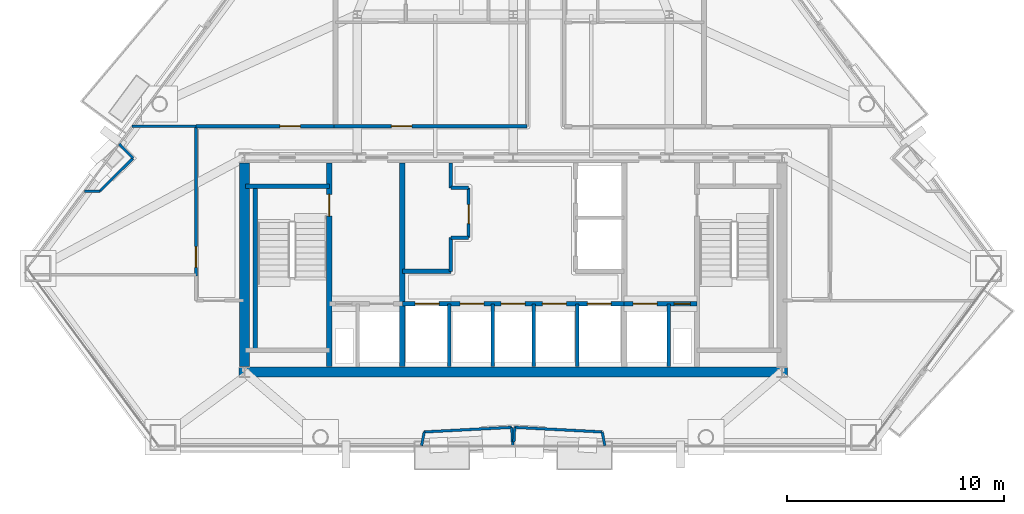
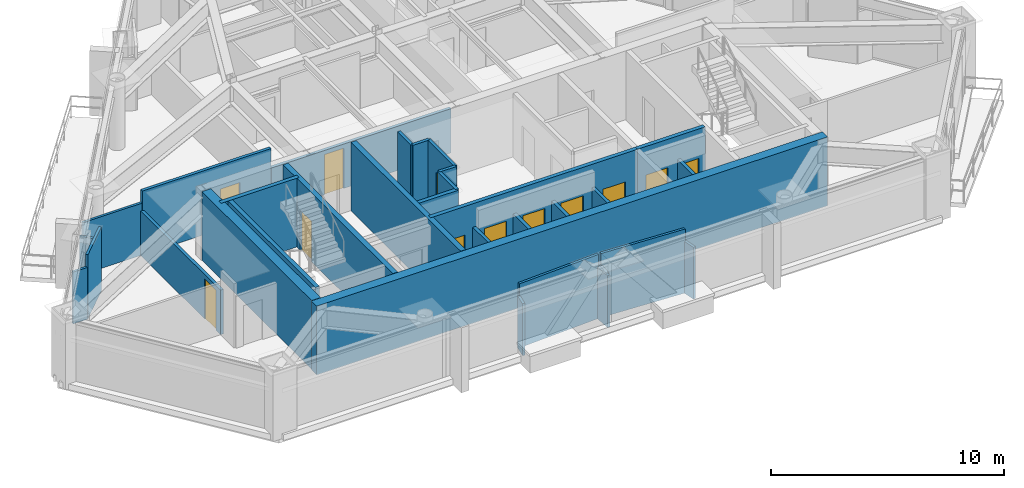
# One storey, part 7 of 11: 32 walls, 12 doors, 12 openings.
"""IFC4 building model written with IfcOpenShell, lengths in metres."""

from ifc_helpers import new_model, si_unit, direction, frame, frame_2d, origin, place, context, subcontext, project, spatial, rectangle, extrude, material, layer, layer_set, type_object, element, fill, save


model = new_model("IFC4")

# Units and contexts
model_context = context("Model", 3, precision=1e-05, world=origin(), true_north=direction((0.0, 1.0)))
body_context = subcontext(model_context, "Body", "Model", "MODEL_VIEW")
ifc_project = project(units=[si_unit("LENGTHUNIT", "METRE"), si_unit("AREAUNIT", "SQUARE_METRE"), si_unit("VOLUMEUNIT", "CUBIC_METRE"), si_unit("PLANEANGLEUNIT", "RADIAN"), si_unit("MASSUNIT", "GRAM", prefix="KILO")], contexts=[model_context])

# Site, building, storey
site_placement = place(None, origin())
site = spatial("IfcSite", under=ifc_project, at=site_placement, CompositionType="ELEMENT")
building_placement = place(site_placement, origin())
building = spatial("IfcBuilding", under=site, at=building_placement, Name="Talgorran Terracotta Tower", CompositionType="ELEMENT")
storey_placement = place(building_placement, frame((0.0, 0.0, 110.39990234375)))
storey = spatial("IfcBuildingStorey", under=building, at=storey_placement, Name="L28", CompositionType="ELEMENT", Elevation=110.39990234375)

# Walls
ifc_material_1 = material(Name="Concrete C50/60", Category="concrete")
ifc_layer_1 = layer(ifc_material_1, 0.199951171875, Name="WT_CORE_200")
ifc_layer_set_1 = layer_set([ifc_layer_1], Name="Concrete C50/60")
wall_type_1 = type_object("IfcWallType", Name="WT_CORE_200", PredefinedType="SOLIDWALL", material=ifc_layer_set_1)
wall_1_placement = place(storey_placement, frame((-12.35009765625, -5.52001953125, 0.0), z_axis=(0.0, 0.0, 1.0), x_axis=(1.0, 0.0, 0.0)))
element("IfcWall", 1, at=wall_1_placement, inside=storey, type_object=wall_type_1, Name="WL-L28-CW-ST1-N", PredefinedType="SOLIDWALL", context=body_context, shape_type="SweptSolid", body=[
    extrude(rectangle(XDim=3.8701171875, YDim=0.199951171875, at=frame_2d((1.93505859375, 0.0))), origin(), (0.0, 0.0, 1.0), 3.60009765625),
])
wall_2_placement = place(storey_placement, frame((-11.89990234375, -13.10009765625, 0.0), z_axis=(0.0, 0.0, 1.0), x_axis=(0.0, 1.0, 0.0)))
element("IfcWall", 2, at=wall_2_placement, inside=storey, type_object=wall_type_1, Name="WL-L28-CW-ST1-W", PredefinedType="SOLIDWALL", context=body_context, shape_type="SweptSolid", body=[
    extrude(rectangle(XDim=7.580078125, YDim=0.199951171875, at=frame_2d((3.7900390625, 0.0))), origin(), (0.0, 0.0, 1.0), 3.60009765625),
])

# Wall, openings, doors
wall_3_placement = place(storey_placement, frame((-5.1201171875, -10.949951171875, 0.0), z_axis=(0.0, 0.0, 1.0), x_axis=(1.0, 0.0, 0.0)))
wall_3 = element("IfcWall", 3, at=wall_3_placement, inside=storey, type_object=wall_type_1, Name="WL-L28-CW-H-SBC", PredefinedType="SOLIDWALL", context=body_context, shape_type="SweptSolid", body=[
    extrude(rectangle(XDim=10.240234375, YDim=0.199951171875, at=frame_2d((5.1201171875, 0.0))), origin(), (0.0, 0.0, 1.0), 3.60009765625),
])
opening_1_placement = place(wall_3_placement, frame((0.60009765625, 0.0, 0.0)))
opening_1 = element("IfcOpeningElement", 4, at=opening_1_placement, cuts=wall_3, Name="Opening LD-OB1", PredefinedType="OPENING", context=body_context, shape_type="SweptSolid", body=[
    extrude(rectangle(XDim=1.10609765625, YDim=2.10409765625, at=frame_2d((0.550048828125, 1.052001953125))), frame((0.0, 0.10986328125, 0.0), z_axis=(0.0, -1.0, 0.0), x_axis=(1.0, 0.0, 0.0)), (0.0, 0.0, 1.0), 0.219970703125),
])
opening_2_placement = place(wall_3_placement, frame((2.669921875, 0.0, 0.0)))
opening_2 = element("IfcOpeningElement", 5, at=opening_2_placement, cuts=wall_3, Name="Opening LD-PLH1", PredefinedType="OPENING", context=body_context, shape_type="SweptSolid", body=[
    extrude(rectangle(XDim=1.10609765625, YDim=2.10409765625, at=frame_2d((0.550048828125, 1.052001953125))), frame((0.0, 0.10986328125, 0.0), z_axis=(0.0, -1.0, 0.0), x_axis=(1.0, 0.0, 0.0)), (0.0, 0.0, 1.0), 0.219970703125),
])
opening_3_placement = place(wall_3_placement, frame((4.570068359375, 0.0, 0.0)))
opening_3 = element("IfcOpeningElement", 6, at=opening_3_placement, cuts=wall_3, Name="Opening LD-PLH2", PredefinedType="OPENING", context=body_context, shape_type="SweptSolid", body=[
    extrude(rectangle(XDim=1.10609765625, YDim=2.10409765625, at=frame_2d((0.550048828125, 1.052001953125))), frame((0.0, 0.10986328125, 0.0), z_axis=(0.0, -1.0, 0.0), x_axis=(1.0, 0.0, 0.0)), (0.0, 0.0, 1.0), 0.219970703125),
])
opening_4_placement = place(wall_3_placement, frame((6.469970703125, 0.0, 0.0)))
opening_4 = element("IfcOpeningElement", 7, at=opening_4_placement, cuts=wall_3, Name="Opening LD-PLH3", PredefinedType="OPENING", context=body_context, shape_type="SweptSolid", body=[
    extrude(rectangle(XDim=1.10609765625, YDim=2.10409765625, at=frame_2d((0.550048828125, 1.052001953125))), frame((0.0, 0.10986328125, 0.0), z_axis=(0.0, -1.0, 0.0), x_axis=(1.0, 0.0, 0.0)), (0.0, 0.0, 1.0), 0.219970703125),
])
opening_5_placement = place(wall_3_placement, frame((8.5400390625, 0.0, 0.0)))
opening_5 = element("IfcOpeningElement", 8, at=opening_5_placement, cuts=wall_3, Name="Opening LD-SVL1", PredefinedType="OPENING", context=body_context, shape_type="SweptSolid", body=[
    extrude(rectangle(XDim=1.10609765625, YDim=2.10409765625, at=frame_2d((0.550048828125, 1.052001953125))), frame((0.0, 0.10986328125, 0.0), z_axis=(0.0, -1.0, 0.0), x_axis=(1.0, 0.0, 0.0)), (0.0, 0.0, 1.0), 0.219970703125),
])
ifc_material_2 = material(Name="Brushed Stainless Steel Grade 304", Category="steel")
door_type_1 = type_object("IfcDoorType", Name="DT_LIFT_LD1100", OperationType="DOUBLE_DOOR_SLIDING", PredefinedType="DOOR", material=ifc_material_2)
door_1_placement = place(opening_1_placement, origin())
door_1 = element("IfcDoor", 9, at=door_1_placement, inside=storey, type_object=door_type_1, Name="L28 Lift Landing Door LD-OB1", OperationType="DOUBLE_DOOR_SLIDING", OverallHeight=2.10009765625, OverallWidth=1.10009765625, PredefinedType="DOOR", context=body_context, shape_type="SweptSolid", body=[
    extrude(rectangle(XDim=1.10009765625, YDim=2.10009765625, at=frame_2d((0.550048828125, 1.050048828125))), frame((0.0, 0.02490234375, 0.0), z_axis=(0.0, -1.0, 0.0), x_axis=(1.0, 0.0, 0.0)), (0.0, 0.0, 1.0), 0.050048828125),
])
fill(opening_1, door_1)
door_2_placement = place(opening_2_placement, origin())
door_2 = element("IfcDoor", 10, at=door_2_placement, inside=storey, type_object=door_type_1, Name="L28 Lift Landing Door LD-PLH1", OperationType="DOUBLE_DOOR_SLIDING", OverallHeight=2.10009765625, OverallWidth=1.10009765625, PredefinedType="DOOR", context=body_context, shape_type="SweptSolid", body=[
    extrude(rectangle(XDim=1.10009765625, YDim=2.10009765625, at=frame_2d((0.550048828125, 1.050048828125))), frame((0.0, 0.02490234375, 0.0), z_axis=(0.0, -1.0, 0.0), x_axis=(1.0, 0.0, 0.0)), (0.0, 0.0, 1.0), 0.050048828125),
])
fill(opening_2, door_2)
door_3_placement = place(opening_3_placement, origin())
door_3 = element("IfcDoor", 11, at=door_3_placement, inside=storey, type_object=door_type_1, Name="L28 Lift Landing Door LD-PLH2", OperationType="DOUBLE_DOOR_SLIDING", OverallHeight=2.10009765625, OverallWidth=1.10009765625, PredefinedType="DOOR", context=body_context, shape_type="SweptSolid", body=[
    extrude(rectangle(XDim=1.10009765625, YDim=2.10009765625, at=frame_2d((0.550048828125, 1.050048828125))), frame((0.0, 0.02490234375, 0.0), z_axis=(0.0, -1.0, 0.0), x_axis=(1.0, 0.0, 0.0)), (0.0, 0.0, 1.0), 0.050048828125),
])
fill(opening_3, door_3)
door_4_placement = place(opening_4_placement, origin())
door_4 = element("IfcDoor", 12, at=door_4_placement, inside=storey, type_object=door_type_1, Name="L28 Lift Landing Door LD-PLH3", OperationType="DOUBLE_DOOR_SLIDING", OverallHeight=2.10009765625, OverallWidth=1.10009765625, PredefinedType="DOOR", context=body_context, shape_type="SweptSolid", body=[
    extrude(rectangle(XDim=1.10009765625, YDim=2.10009765625, at=frame_2d((0.550048828125, 1.050048828125))), frame((0.0, 0.02490234375, 0.0), z_axis=(0.0, -1.0, 0.0), x_axis=(1.0, 0.0, 0.0)), (0.0, 0.0, 1.0), 0.050048828125),
])
fill(opening_4, door_4)
door_5_placement = place(opening_5_placement, origin())
door_5 = element("IfcDoor", 13, at=door_5_placement, inside=storey, type_object=door_type_1, Name="L28 Lift Landing Door LD-SVL1", OperationType="DOUBLE_DOOR_SLIDING", OverallHeight=2.10009765625, OverallWidth=1.10009765625, PredefinedType="DOOR", context=body_context, shape_type="SweptSolid", body=[
    extrude(rectangle(XDim=1.10009765625, YDim=2.10009765625, at=frame_2d((0.550048828125, 1.050048828125))), frame((0.0, 0.02490234375, 0.0), z_axis=(0.0, -1.0, 0.0), x_axis=(1.0, 0.0, 0.0)), (0.0, 0.0, 1.0), 0.050048828125),
])
fill(opening_5, door_5)

wall_4_placement = place(storey_placement, frame((5.1201171875, -10.949951171875, 0.0), z_axis=(0.0, 0.0, 1.0), x_axis=(1.0, 0.0, 0.0)))
wall_4 = element("IfcWall", 14, at=wall_4_placement, inside=storey, type_object=wall_type_1, Name="WL-L28-CW-H-SBE", PredefinedType="SOLIDWALL", context=body_context, shape_type="SweptSolid", body=[
    extrude(rectangle(XDim=3.35986328125, YDim=0.199951171875, at=frame_2d((1.679931640625, 0.0))), origin(), (0.0, 0.0, 1.0), 3.60009765625),
])
opening_6_placement = place(wall_4_placement, frame((0.419921875, 0.0, 0.0)))
opening_6 = element("IfcOpeningElement", 15, at=opening_6_placement, cuts=wall_4, Name="Opening LD-FFL2", PredefinedType="OPENING", context=body_context, shape_type="SweptSolid", body=[
    extrude(rectangle(XDim=1.10609765625, YDim=2.10409765625, at=frame_2d((0.550048828125, 1.052001953125))), frame((0.0, 0.10986328125, 0.0), z_axis=(0.0, -1.0, 0.0), x_axis=(1.0, 0.0, 0.0)), (0.0, 0.0, 1.0), 0.219970703125),
])
opening_7_placement = place(wall_4_placement, frame((2.300048828125, 0.0, 0.0)))
opening_7 = element("IfcOpeningElement", 16, at=opening_7_placement, cuts=wall_4, Name="Opening DR-RSE", PredefinedType="OPENING", context=body_context, shape_type="SweptSolid", body=[
    extrude(rectangle(XDim=0.756, YDim=2.054048828125, at=frame_2d((0.375, 1.027099609375))), frame((0.0, 0.10986328125, 0.0), z_axis=(0.0, -1.0, 0.0), x_axis=(1.0, 0.0, 0.0)), (0.0, 0.0, 1.0), 0.219970703125),
])
door_6_placement = place(opening_6_placement, origin())
door_6 = element("IfcDoor", 17, at=door_6_placement, inside=storey, type_object=door_type_1, Name="L28 Lift Landing Door LD-FFL2", OperationType="DOUBLE_DOOR_SLIDING", OverallHeight=2.10009765625, OverallWidth=1.10009765625, PredefinedType="DOOR", context=body_context, shape_type="SweptSolid", body=[
    extrude(rectangle(XDim=1.10009765625, YDim=2.10009765625, at=frame_2d((0.550048828125, 1.050048828125))), frame((0.0, 0.02490234375, 0.0), z_axis=(0.0, -1.0, 0.0), x_axis=(1.0, 0.0, 0.0)), (0.0, 0.0, 1.0), 0.050048828125),
])
fill(opening_6, door_6)
ifc_material_3 = material(Name="Fire-Rated Pressed Steel", Category="steel")
door_type_2 = type_object("IfcDoorType", Name="DT_RISER_750", OperationType="NOTDEFINED", PredefinedType="DOOR", material=ifc_material_3)
door_7_placement = place(opening_7_placement, origin())
door_7 = element("IfcDoor", 18, at=door_7_placement, inside=storey, type_object=door_type_2, Name="DR-RSE", OperationType="SINGLE_SWING_RIGHT", OverallHeight=2.050048828125, OverallWidth=0.75, PredefinedType="DOOR", context=body_context, shape_type="SweptSolid", body=[
    extrude(rectangle(XDim=0.75, YDim=2.050048828125, at=frame_2d((0.375, 1.02490234375))), frame((0.0, 0.02490234375, 0.0), z_axis=(0.0, -1.0, 0.0), x_axis=(1.0, 0.0, 0.0)), (0.0, 0.0, 1.0), 0.050048828125),
])
fill(opening_7, door_7)

# Wall
wall_5_placement = place(storey_placement, frame((-5.1201171875, -9.449951171875, 0.0), z_axis=(0.0, 0.0, 1.0), x_axis=(1.0, 0.0, 0.0)))
element("IfcWall", 19, at=wall_5_placement, inside=storey, type_object=wall_type_1, Name="WL-L28-CW-H-W4", PredefinedType="SOLIDWALL", context=body_context, shape_type="SweptSolid", body=[
    extrude(rectangle(XDim=2.240234375, YDim=0.199951171875, at=frame_2d((1.1201171875, 0.0))), origin(), (0.0, 0.0, 1.0), 3.35009765625),
])

# Wall, opening, door
ifc_layer_2 = layer(ifc_material_1, 0.25, Name="WT_CORE_250")
ifc_layer_set_2 = layer_set([ifc_layer_2], Name="Concrete C50/60")
wall_type_2 = type_object("IfcWallType", Name="WT_CORE_250", PredefinedType="SHEAR", material=ifc_layer_set_2)
wall_6_placement = place(storey_placement, frame((-8.47998046875, -13.85009765625, 0.0), z_axis=(0.0, 0.0, 1.0), x_axis=(0.0, 1.0, 0.0)))
wall_6 = element("IfcWall", 20, at=wall_6_placement, inside=storey, type_object=wall_type_2, Name="WL-L28-CW-V-W1", PredefinedType="SHEAR", context=body_context, shape_type="SweptSolid", body=[
    extrude(rectangle(XDim=9.400146484375, YDim=0.25, at=frame_2d((4.7001953125, 0.0))), origin(), (0.0, 0.0, 1.0), 3.60009765625),
])
opening_8_placement = place(wall_6_placement, frame((6.949951171875, 0.0, 0.0)))
opening_8 = element("IfcOpeningElement", 21, at=opening_8_placement, cuts=wall_6, Name="Opening DR-ST01", PredefinedType="OPENING", context=body_context, shape_type="SweptSolid", body=[
    extrude(rectangle(XDim=1.006, YDim=2.10409765625, at=frame_2d((0.5, 1.052001953125))), frame((0.0, 0.135009765625, 0.0), z_axis=(0.0, -1.0, 0.0), x_axis=(1.0, 0.0, 0.0)), (0.0, 0.0, 1.0), 0.27001953125),
])
door_type_3 = type_object("IfcDoorType", Name="DT_FIRE_1000", OperationType="NOTDEFINED", PredefinedType="DOOR", material=ifc_material_3)
door_8_placement = place(opening_8_placement, origin())
door_8 = element("IfcDoor", 22, at=door_8_placement, inside=storey, type_object=door_type_3, Name="DR-ST01", OperationType="SINGLE_SWING_LEFT", OverallHeight=2.10009765625, OverallWidth=1.0, PredefinedType="DOOR", context=body_context, shape_type="SweptSolid", body=[
    extrude(rectangle(XDim=1.0, YDim=2.10009765625, at=frame_2d((0.5, 1.050048828125))), frame((0.0, 0.02490234375, 0.0), z_axis=(0.0, -1.0, 0.0), x_axis=(1.0, 0.0, 0.0)), (0.0, 0.0, 1.0), 0.050048828125),
])
fill(opening_8, door_8)

# Walls
wall_7_placement = place(storey_placement, frame((-5.1201171875, -13.85009765625, 0.0), z_axis=(0.0, 0.0, 1.0), x_axis=(0.0, 1.0, 0.0)))
element("IfcWall", 23, at=wall_7_placement, inside=storey, type_object=wall_type_2, Name="WL-L28-CW-V-W2", PredefinedType="SHEAR", context=body_context, shape_type="SweptSolid", body=[
    extrude(rectangle(XDim=9.400146484375, YDim=0.25, at=frame_2d((4.7001953125, 0.0))), origin(), (0.0, 0.0, 1.0), 3.60009765625),
])
ifc_material_4 = material(Name="Concrete C65/80", Category="concrete")
ifc_layer_3 = layer(ifc_material_4, 0.449951171875, Name="WT_CORE_EXT")
ifc_layer_set_3 = layer_set([ifc_layer_3], Name="Concrete C65/80")
wall_type_3 = type_object("IfcWallType", Name="WT_CORE_EXT", PredefinedType="SHEAR", material=ifc_layer_set_3)
wall_8_placement = place(storey_placement, frame((-12.64990234375, -14.10009765625, 0.0), z_axis=(0.0, 0.0, 1.0), x_axis=(1.0, 0.0, 0.0)))
element("IfcWall", 24, at=wall_8_placement, inside=storey, type_object=wall_type_3, Name="WL-L28-CW-OUT-S", PredefinedType="SHEAR", context=body_context, shape_type="SweptSolid", body=[
    extrude(rectangle(XDim=25.2998046875, YDim=0.449951171875, at=frame_2d((12.64990234375, 0.0))), origin(), (0.0, 0.0, 1.0), 3.60009765625),
])
wall_9_placement = place(storey_placement, frame((-12.39990234375, -13.85009765625, 0.0), z_axis=(0.0, 0.0, 1.0), x_axis=(0.0, 1.0, 0.0)))
element("IfcWall", 25, at=wall_9_placement, inside=storey, type_object=wall_type_3, Name="WL-L28-CW-OUT-W", PredefinedType="SHEAR", context=body_context, shape_type="SweptSolid", body=[
    extrude(rectangle(XDim=9.400146484375, YDim=0.449951171875, at=frame_2d((4.7001953125, 0.0))), origin(), (0.0, 0.0, 1.0), 3.60009765625),
])
ifc_material_5 = material(Name="Fire-Rated Steel Stud Plasterboard", Category="steel")
ifc_layer_4 = layer(ifc_material_5, 0.14990234375, Name="WT_FIRE_150")
ifc_layer_set_4 = layer_set([ifc_layer_4], Name="Fire-Rated Steel Stud Plasterboard")
wall_type_4 = type_object("IfcWallType", Name="WT_FIRE_150", PredefinedType="PARTITIONING", material=ifc_layer_set_4)
wall_10_placement = place(storey_placement, frame((-2.8798828125, -9.449951171875, 0.0), z_axis=(0.0, 0.0, 1.0), x_axis=(0.0, 1.0, 0.0)))
element("IfcWall", 26, at=wall_10_placement, inside=storey, type_object=wall_type_4, Name="WL-L28-CW-V-W3A", PredefinedType="PARTITIONING", context=body_context, shape_type="SweptSolid", body=[
    extrude(rectangle(XDim=1.550048828125, YDim=0.14990234375, at=frame_2d((0.77490234375, 0.0))), origin(), (0.0, 0.0, 1.0), 3.35009765625),
])
wall_11_placement = place(storey_placement, frame((-2.8798828125, -7.89990234375, 0.0), z_axis=(0.0, 0.0, 1.0), x_axis=(1.0, 0.0, 0.0)))
element("IfcWall", 27, at=wall_11_placement, inside=storey, type_object=wall_type_4, Name="WL-L28-CW-H-W3B", PredefinedType="PARTITIONING", context=body_context, shape_type="SweptSolid", body=[
    extrude(rectangle(XDim=0.81982421875, YDim=0.14990234375, at=frame_2d((0.409912109375, 0.0))), origin(), (0.0, 0.0, 1.0), 3.35009765625),
])

# Wall, opening, door
wall_12_placement = place(storey_placement, frame((-2.06005859375, -7.89990234375, 0.0), z_axis=(0.0, 0.0, 1.0), x_axis=(0.0, 1.0, 0.0)))
wall_12 = element("IfcWall", 28, at=wall_12_placement, inside=storey, type_object=wall_type_4, Name="WL-L28-CW-V-W3C", PredefinedType="PARTITIONING", context=body_context, shape_type="SweptSolid", body=[
    extrude(rectangle(XDim=2.2998046875, YDim=0.14990234375, at=frame_2d((1.14990234375, 0.0))), origin(), (0.0, 0.0, 1.0), 3.35009765625),
])
opening_9_placement = place(wall_12_placement, frame((0.64990234375, 0.0, 0.0)))
opening_9 = element("IfcOpeningElement", 29, at=opening_9_placement, cuts=wall_12, Name="Opening DR-FRPLL-B", PredefinedType="OPENING", context=body_context, shape_type="SweptSolid", body=[
    extrude(rectangle(XDim=0.8858828125, YDim=2.10409765625, at=frame_2d((0.43994140625, 1.052001953125))), frame((0.0, 0.0849609375, 0.0), z_axis=(0.0, -1.0, 0.0), x_axis=(1.0, 0.0, 0.0)), (0.0, 0.0, 1.0), 0.169921875),
])
ifc_material_6 = material(Name="Solid-Core Painted Timber", Category="wood")
door_type_4 = type_object("IfcDoorType", Name="DT_INT_880", OperationType="NOTDEFINED", PredefinedType="DOOR", material=ifc_material_6)
door_9_placement = place(opening_9_placement, origin())
door_9 = element("IfcDoor", 30, at=door_9_placement, inside=storey, type_object=door_type_4, Name="DR-FRPLL-B", OperationType="SINGLE_SWING_LEFT", OverallHeight=2.10009765625, OverallWidth=0.8798828125, PredefinedType="DOOR", context=body_context, shape_type="SweptSolid", body=[
    extrude(rectangle(XDim=0.8798828125, YDim=2.10009765625, at=frame_2d((0.43994140625, 1.050048828125))), frame((0.0, 0.02490234375, 0.0), z_axis=(0.0, -1.0, 0.0), x_axis=(1.0, 0.0, 0.0)), (0.0, 0.0, 1.0), 0.050048828125),
])
fill(opening_9, door_9)

# Walls
wall_13_placement = place(storey_placement, frame((-2.8798828125, -5.60009765625, 0.0), z_axis=(0.0, 0.0, 1.0), x_axis=(1.0, 0.0, 0.0)))
element("IfcWall", 31, at=wall_13_placement, inside=storey, type_object=wall_type_4, Name="WL-L28-CW-H-W3D", PredefinedType="PARTITIONING", context=body_context, shape_type="SweptSolid", body=[
    extrude(rectangle(XDim=0.81982421875, YDim=0.14990234375, at=frame_2d((0.409912109375, 0.0))), origin(), (0.0, 0.0, 1.0), 3.35009765625),
])
wall_14_placement = place(storey_placement, frame((-2.8798828125, -5.60009765625, 0.0), z_axis=(0.0, 0.0, 1.0), x_axis=(0.0, 1.0, 0.0)))
element("IfcWall", 32, at=wall_14_placement, inside=storey, type_object=wall_type_4, Name="WL-L28-CW-V-W3E", PredefinedType="PARTITIONING", context=body_context, shape_type="SweptSolid", body=[
    extrude(rectangle(XDim=1.150146484375, YDim=0.14990234375, at=frame_2d((0.5751953125, 0.0))), origin(), (0.0, 0.0, 1.0), 3.35009765625),
])

# Wall, opening, door
wall_15_placement = place(storey_placement, frame((-8.260009765625, -2.760009765625, 0.0), z_axis=(0.0, 0.0, 1.0), x_axis=(1.0, 0.0, 0.0)))
wall_15 = element("IfcWall", 33, at=wall_15_placement, inside=storey, type_object=wall_type_4, Name="WL-L28-W-L28-R07", PredefinedType="PARTITIONING", context=body_context, shape_type="SweptSolid", body=[
    extrude(rectangle(XDim=8.89990234375, YDim=0.14990234375, at=frame_2d((4.449951171875, 0.0))), origin(), (0.0, 0.0, 1.0), 2.3251953125),
])
opening_10_placement = place(wall_15_placement, frame((2.63671875, 0.0, 0.0)))
opening_10 = element("IfcOpeningElement", 34, at=opening_10_placement, cuts=wall_15, Name="Opening DR-L28-R06", PredefinedType="OPENING", context=body_context, shape_type="SweptSolid", body=[
    extrude(rectangle(XDim=0.955951171875, YDim=2.10409765625, at=frame_2d((0.47509765625, 1.052001953125))), frame((0.0, 0.0849609375, 0.0), z_axis=(0.0, -1.0, 0.0), x_axis=(1.0, 0.0, 0.0)), (0.0, 0.0, 1.0), 0.169921875),
])
ifc_material_7 = material(Name="Fire-Rated Timber Core", Category="wood")
door_type_5 = type_object("IfcDoorType", Name="DT_FIRE_950", OperationType="NOTDEFINED", PredefinedType="DOOR", material=ifc_material_7)
door_10_placement = place(opening_10_placement, origin())
door_10 = element("IfcDoor", 35, at=door_10_placement, inside=storey, type_object=door_type_5, Name="DR-L28-R06", OperationType="SINGLE_SWING_RIGHT", OverallHeight=2.10009765625, OverallWidth=0.949951171875, PredefinedType="DOOR", context=body_context, shape_type="SweptSolid", body=[
    extrude(rectangle(XDim=0.949951171875, YDim=2.10009765625, at=frame_2d((0.47509765625, 1.050048828125))), frame((0.0, 0.02490234375, 0.0), z_axis=(0.0, -1.0, 0.0), x_axis=(1.0, 0.0, 0.0)), (0.0, 0.0, 1.0), 0.050048828125),
])
fill(opening_10, door_10)

wall_16_placement = place(storey_placement, frame((-14.639892578125, -9.659912109375, 0.0), z_axis=(0.0, 0.0, 1.0), x_axis=(0.0, 1.0, 0.0)))
wall_16 = element("IfcWall", 36, at=wall_16_placement, inside=storey, type_object=wall_type_4, Name="WL-L28-W-L28-R01", PredefinedType="PARTITIONING", context=body_context, shape_type="SweptSolid", body=[
    extrude(rectangle(XDim=6.89990234375, YDim=0.14990234375, at=frame_2d((3.449951171875, 0.0))), origin(), (0.0, 0.0, 1.0), 2.3251953125),
])
opening_11_placement = place(wall_16_placement, frame((0.3994140625, 0.0, 0.0)))
opening_11 = element("IfcOpeningElement", 37, at=opening_11_placement, cuts=wall_16, Name="Opening DR-L28-R01", PredefinedType="OPENING", context=body_context, shape_type="SweptSolid", body=[
    extrude(rectangle(XDim=0.955951171875, YDim=2.10409765625, at=frame_2d((0.47509765625, 1.052001953125))), frame((0.0, 0.0849609375, 0.0), z_axis=(0.0, -1.0, 0.0), x_axis=(1.0, 0.0, 0.0)), (0.0, 0.0, 1.0), 0.169921875),
])
door_11_placement = place(opening_11_placement, origin())
door_11 = element("IfcDoor", 38, at=door_11_placement, inside=storey, type_object=door_type_5, Name="DR-L28-R01", OperationType="SINGLE_SWING_LEFT", OverallHeight=2.10009765625, OverallWidth=0.949951171875, PredefinedType="DOOR", context=body_context, shape_type="SweptSolid", body=[
    extrude(rectangle(XDim=0.949951171875, YDim=2.10009765625, at=frame_2d((0.47509765625, 1.050048828125))), frame((0.0, 0.02490234375, 0.0), z_axis=(0.0, -1.0, 0.0), x_axis=(1.0, 0.0, 0.0)), (0.0, 0.0, 1.0), 0.050048828125),
])
fill(opening_11, door_11)

wall_17_placement = place(storey_placement, frame((-14.639892578125, -2.760009765625, 0.0), z_axis=(0.0, 0.0, 1.0), x_axis=(1.0, 0.0, 0.0)))
wall_17 = element("IfcWall", 39, at=wall_17_placement, inside=storey, type_object=wall_type_4, Name="WL-L28-W-L28-R06", PredefinedType="PARTITIONING", context=body_context, shape_type="SweptSolid", body=[
    extrude(rectangle(XDim=6.3779296875, YDim=0.14990234375, at=frame_2d((3.18896484375, 0.0))), origin(), (0.0, 0.0, 1.0), 3.35009765625),
])
opening_12_placement = place(wall_17_placement, frame((3.872802734375, 0.0, 0.0)))
opening_12 = element("IfcOpeningElement", 40, at=opening_12_placement, cuts=wall_17, Name="Opening DR-L28-R05", PredefinedType="OPENING", context=body_context, shape_type="SweptSolid", body=[
    extrude(rectangle(XDim=0.955951171875, YDim=2.10409765625, at=frame_2d((0.47509765625, 1.052001953125))), frame((0.0, 0.0849609375, 0.0), z_axis=(0.0, -1.0, 0.0), x_axis=(1.0, 0.0, 0.0)), (0.0, 0.0, 1.0), 0.169921875),
])
door_12_placement = place(opening_12_placement, origin())
door_12 = element("IfcDoor", 41, at=door_12_placement, inside=storey, type_object=door_type_5, Name="DR-L28-R05", OperationType="SINGLE_SWING_LEFT", OverallHeight=2.10009765625, OverallWidth=0.949951171875, PredefinedType="DOOR", context=body_context, shape_type="SweptSolid", body=[
    extrude(rectangle(XDim=0.949951171875, YDim=2.10009765625, at=frame_2d((0.47509765625, 1.050048828125))), frame((0.0, 0.02490234375, 0.0), z_axis=(0.0, -1.0, 0.0), x_axis=(1.0, 0.0, 0.0)), (0.0, 0.0, 1.0), 0.050048828125),
])
fill(opening_12, door_12)

# Walls
ifc_material_8 = material(Name="Insulated Steel Stud Plasterboard", Category="steel")
ifc_layer_5 = layer(ifc_material_8, 0.1201171875, Name="WT_PART_120")
ifc_layer_set_5 = layer_set([ifc_layer_5], Name="Insulated Steel Stud Plasterboard")
wall_type_5 = type_object("IfcWallType", Name="WT_PART_120", PredefinedType="PARTITIONING", material=ifc_layer_set_5)
for number, where, z_axis, x_axis, name in (
    (42, (-4.105712890625, -16.862060546875, 0.0), (0.0, 0.0, 1.0), (0.998632960737, 0.052270543608, 0.0), "WL-L28-BW-L28-01"),
    (43, (0.06640625, -16.650634765625, 0.0), (0.0, 0.0, 1.0), (0.998632960737, -0.052270543608, 0.0), "WL-L28-BW-L28-04"),
):
    element("IfcWall", number, at=place(storey_placement, frame(where, z_axis=z_axis, x_axis=x_axis)), inside=storey, type_object=wall_type_5, Name=name, PredefinedType="PARTITIONING", context=body_context, shape_type="SweptSolid", body=[
        extrude(rectangle(XDim=4.044921875, YDim=0.1201171875, at=frame_2d((2.0224609375, 0.0))), origin(), (0.0, 0.0, 1.0), 3.35009765625),
    ])
wall_18_placement = place(storey_placement, frame((-17.579833984375, -2.760009765625, 0.0), z_axis=(0.0, 0.0, 1.0), x_axis=(1.0, 0.0, 0.0)))
element("IfcWall", 44, at=wall_18_placement, inside=storey, type_object=wall_type_5, Name="WL-L28-W-L28-R19", PredefinedType="PARTITIONING", context=body_context, shape_type="SweptSolid", body=[
    extrude(rectangle(XDim=2.93994140625, YDim=0.1201171875, at=frame_2d((1.469970703125, 0.0))), origin(), (0.0, 0.0, 1.0), 2.71337890625),
])
wall_19_placement = place(storey_placement, frame((-17.5380859375, -4.228759765625, 0.0), z_axis=(0.0, 0.0, 1.0), x_axis=(-0.711889877925, -0.702291108949, 0.0)))
element("IfcWall", 45, at=wall_19_placement, inside=storey, type_object=wall_type_5, Name="WL-L28-BW-L28-08", PredefinedType="PARTITIONING", context=body_context, shape_type="SweptSolid", body=[
    extrude(rectangle(XDim=2.161865234375, YDim=0.1201171875, at=frame_2d((1.0810546875, 0.0))), origin(), (0.0, 0.0, 1.0), 3.35009765625),
])
wall_20_placement = place(storey_placement, frame((-18.176025390625, -3.582275390625, 0.0), z_axis=(0.0, 0.0, 1.0), x_axis=(0.702387049148, -0.711795218577, 0.0)))
element("IfcWall", 46, at=wall_20_placement, inside=storey, type_object=wall_type_5, Name="WL-L28-BW-L28-07", PredefinedType="PARTITIONING", context=body_context, shape_type="SweptSolid", body=[
    extrude(rectangle(XDim=0.908203125, YDim=0.1201171875, at=frame_2d((0.4541015625, 0.0))), origin(), (0.0, 0.0, 1.0), 2.71337890625),
])
wall_21_placement = place(storey_placement, frame((-0.06640625, -16.650634765625, 0.0), z_axis=(0.0, 0.0, 1.0), x_axis=(0.052377572973, -0.998627352845, 0.0)))
element("IfcWall", 47, at=wall_21_placement, inside=storey, type_object=wall_type_5, Name="WL-L28-BW-L28-02", PredefinedType="PARTITIONING", context=body_context, shape_type="SweptSolid", body=[
    extrude(rectangle(XDim=0.848388671875, YDim=0.1201171875, at=frame_2d((0.42431640625, 0.0))), origin(), (0.0, 0.0, 1.0), 2.71337890625),
])
wall_22_placement = place(storey_placement, frame((0.031005859375, -17.324951171875, 0.0), z_axis=(0.0, 0.0, 1.0), x_axis=(0.052425994835, 0.998624811962, 0.0)))
element("IfcWall", 48, at=wall_22_placement, inside=storey, type_object=wall_type_5, Name="WL-L28-BW-L28-03", PredefinedType="PARTITIONING", context=body_context, shape_type="SweptSolid", body=[
    extrude(rectangle(XDim=0.67529296875, YDim=0.1201171875, at=frame_2d((0.337646484375, 0.0))), origin(), (0.0, 0.0, 1.0), 2.71337890625),
])
wall_23_placement = place(storey_placement, frame((-19.0771484375, -5.7470703125, 0.0), z_axis=(0.0, 0.0, 1.0), x_axis=(-0.999965519438, -0.008304211926, 0.0)))
element("IfcWall", 49, at=wall_23_placement, inside=storey, type_object=wall_type_5, Name="WL-L28-BW-L28-09", PredefinedType="PARTITIONING", context=body_context, shape_type="SweptSolid", body=[
    extrude(rectangle(XDim=0.70556640625, YDim=0.1201171875, at=frame_2d((0.352783203125, 0.0))), origin(), (0.0, 0.0, 1.0), 2.71337890625),
])
for number, where, z_axis, x_axis, name in (
    (50, (4.105712890625, -16.862060546875, 0.0), (0.0, 0.0, 1.0), (0.191474935373, -0.981497503371, 0.0), "WL-L28-BW-L28-05"),
    (51, (-4.229736328125, -17.497802734375, 0.0), (0.0, 0.0, 1.0), (0.191474935373, 0.981497503371, 0.0), "WL-L28-BW-L28-06"),
):
    element("IfcWall", number, at=place(storey_placement, frame(where, z_axis=z_axis, x_axis=x_axis)), inside=storey, type_object=wall_type_5, Name=name, PredefinedType="PARTITIONING", context=body_context, shape_type="SweptSolid", body=[
        extrude(rectangle(XDim=0.647705078125, YDim=0.1201171875, at=frame_2d((0.32373046875, 0.0))), origin(), (0.0, 0.0, 1.0), 2.71337890625),
    ])
ifc_material_9 = material(Name="Fire-Rated Shaftwall")
ifc_layer_6 = layer(ifc_material_9, 0.159912109375, Name="WT_PART_150")
ifc_layer_set_6 = layer_set([ifc_layer_6], Name="Fire-Rated Shaftwall")
wall_type_6 = type_object("IfcWallType", Name="WT_PART_150", PredefinedType="PARTITIONING", material=ifc_layer_set_6)
for number, where, z_axis, x_axis, name in (
    (52, (7.179931640625, -13.85009765625, 0.0), (0.0, 0.0, 1.0), (0.0, 1.0, 0.0), "WL-L28-CW-RSE"),
    (53, (-2.949951171875, -13.85009765625, 0.0), (0.0, 0.0, 1.0), (0.0, 1.0, 0.0), "WL-L28-CW-OB-E"),
    (54, (2.949951171875, -13.85009765625, 0.0), (0.0, 0.0, 1.0), (0.0, 1.0, 0.0), "WL-L28-CW-SV-W"),
    (55, (-0.949951171875, -13.85009765625, 0.0), (0.0, 0.0, 1.0), (0.0, 1.0, 0.0), "WL-L28-CW-PLH-D1"),
    (56, (0.949951171875, -13.85009765625, 0.0), (0.0, 0.0, 1.0), (0.0, 1.0, 0.0), "WL-L28-CW-PLH-D2"),
):
    element("IfcWall", number, at=place(storey_placement, frame(where, z_axis=z_axis, x_axis=x_axis)), inside=storey, type_object=wall_type_6, Name=name, PredefinedType="PARTITIONING", context=body_context, shape_type="SweptSolid", body=[
        extrude(rectangle(XDim=2.900146484375, YDim=0.159912109375, at=frame_2d((1.4501953125, 0.0))), origin(), (0.0, 0.0, 1.0), 2.375),
    ])

save(model, "model.ifc")
